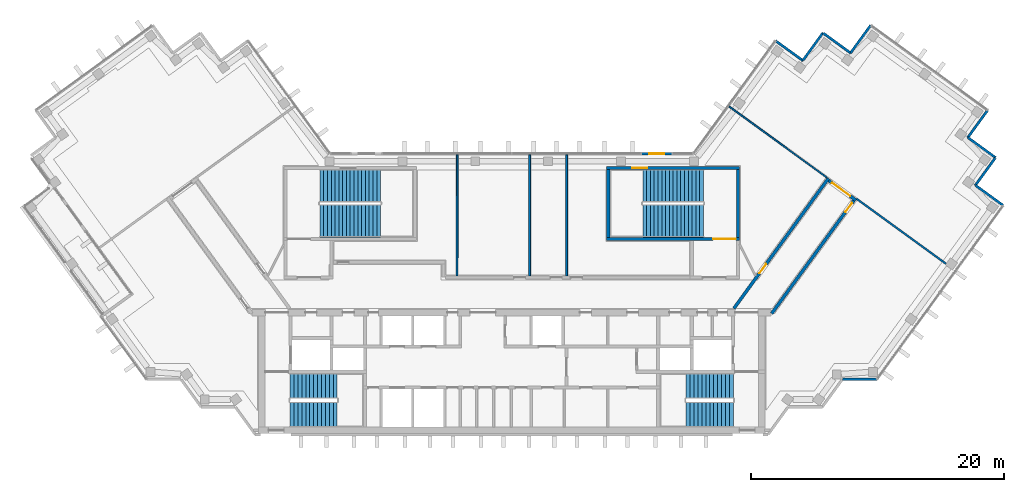
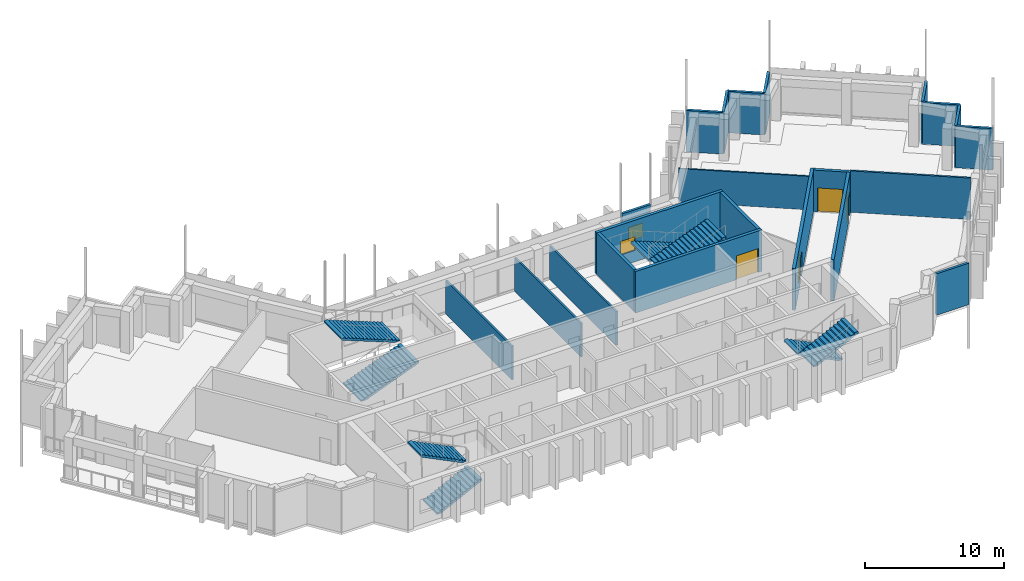
# One storey, part 12 of 14: 22 walls, 8 stair flights, 4 doors, 2 windows, 6 openings, 4 elements without a shape of their own.
"""IFC4 building model written with IfcOpenShell, lengths in metres."""

from ifc_helpers import new_model, si_unit, direction, frame, frame_2d, origin, place, context, subcontext, project, spatial, polyline, rectangle, outline, extrude, material, layer, layer_set, type_object, element, fill, aggregate, save


model = new_model("IFC4")

# Units and contexts
model_context = context("Model", 3, precision=1e-05, world=origin(), true_north=direction((0.0, 1.0)))
body_context = subcontext(model_context, "Body", "Model", "MODEL_VIEW")
ifc_project = project(units=[si_unit("LENGTHUNIT", "METRE"), si_unit("AREAUNIT", "SQUARE_METRE"), si_unit("VOLUMEUNIT", "CUBIC_METRE"), si_unit("PLANEANGLEUNIT", "RADIAN"), si_unit("MASSUNIT", "GRAM", prefix="KILO")], contexts=[model_context])

# Site, building, storey
site_placement = place(None, origin())
site = spatial("IfcSite", under=ifc_project, at=site_placement, CompositionType="ELEMENT")
building_placement = place(site_placement, origin())
building = spatial("IfcBuilding", under=site, at=building_placement, Name="Quipu Civic Tower", CompositionType="ELEMENT")
storey_placement = place(building_placement, frame((0.0, 0.0, 257.0)))
storey = spatial("IfcBuildingStorey", under=building, at=storey_placement, Name="L60", CompositionType="ELEMENT", Elevation=257.0)

# Walls
ifc_material_1 = material(Name="Double gypsum plasterboard with mineral wool")
ifc_layer_1 = layer(ifc_material_1, 0.14990234375)
ifc_layer_set_1 = layer_set([ifc_layer_1], Name="Double gypsum plasterboard with mineral wool")
wall_type_1 = type_object("IfcWallType", Name="Acoustic partition 150 plasterboard", PredefinedType="PARTITIONING", material=ifc_layer_set_1)
for number, where, z_axis, x_axis, name in (
    (1, (-4.29638671875, 11.0, 0.0), (0.0, 0.0, 1.0), (-0.002377476217, -0.999997173799, 0.0), "Partition P03"),
    (2, (1.419921875, 1.449951171875, 0.0), (0.0, 0.0, 1.0), (0.0, 1.0, 0.0), "Partition P04"),
):
    element("IfcWall", number, at=place(storey_placement, frame(where, z_axis=z_axis, x_axis=x_axis)), inside=storey, type_object=wall_type_1, Name=name, PredefinedType="PARTITIONING", context=body_context, shape_type="SweptSolid", body=[
        extrude(rectangle(XDim=9.550048828125, YDim=0.14990234375, at=frame_2d((4.77490234375, 0.0))), origin(), (0.0, 0.0, 1.0), 2.949951171875),
    ])
wall_1_placement = place(storey_placement, frame((27.240478515625, 7.532470703125, 0.0), z_axis=(0.0, 0.0, 1.0), x_axis=(0.809027940177, -0.587770186393, 0.0)))
element("IfcWall", 3, at=wall_1_placement, inside=storey, type_object=wall_type_1, Name="Partition P05", PredefinedType="PARTITIONING", context=body_context, shape_type="SweptSolid", body=[
    extrude(rectangle(XDim=8.71484375, YDim=0.14990234375, at=frame_2d((4.357421875, 0.0))), origin(), (0.0, 0.0, 1.0), 3.64990234375),
])
wall_2_placement = place(storey_placement, frame((4.339111328125, 11.0, 0.0), z_axis=(0.0, 0.0, 1.0), x_axis=(0.0, -1.0, 0.0)))
element("IfcWall", 4, at=wall_2_placement, inside=storey, type_object=wall_type_1, Name="Partition P07", PredefinedType="PARTITIONING", context=body_context, shape_type="SweptSolid", body=[
    extrude(rectangle(XDim=9.550048828125, YDim=0.14990234375, at=frame_2d((4.77490234375, 0.0))), origin(), (0.0, 0.0, 1.0), 2.949951171875),
])

# Wall, opening, door
ifc_material_2 = material(Name="Concrete C70/85", Category="concrete")
ifc_layer_2 = layer(ifc_material_2, 0.25)
ifc_layer_set_2 = layer_set([ifc_layer_2], Name="Concrete C70/85")
wall_type_2 = type_object("IfcWallType", Name="Core wall 250", PredefinedType="SHEAR", material=ifc_layer_set_2)
wall_3_placement = place(storey_placement, frame((7.5, 4.375, 0.0), z_axis=(0.0, 0.0, 1.0), x_axis=(1.0, 0.0, 0.0)))
wall_3 = element("IfcWall", 5, at=wall_3_placement, inside=storey, type_object=wall_type_2, Name="Core wall", PredefinedType="SHEAR", context=body_context, shape_type="SweptSolid", body=[
    extrude(rectangle(XDim=10.5, YDim=0.25, at=frame_2d((5.25, 0.0))), origin(), (0.0, 0.0, 1.0), 3.64990234375),
])
opening_1_placement = place(wall_3_placement, frame((8.39990234375, 0.0, 0.0)))
opening_1 = element("IfcOpeningElement", 6, at=opening_1_placement, cuts=wall_3, Name="Opening CD-30", PredefinedType="OPENING", context=body_context, shape_type="SweptSolid", body=[
    extrude(rectangle(XDim=1.800048828125, YDim=2.10009765625, at=frame_2d((0.89990234375, 1.050048828125))), frame((0.0, 0.135009765625, 0.0), z_axis=(0.0, -1.0, 0.0), x_axis=(1.0, 0.0, 0.0)), (0.0, 0.0, 1.0), 0.27001953125),
])
ifc_material_3 = material(Name="Fire rated steel door", Category="steel")
door_type_1 = type_object("IfcDoorType", Name="Fire door FD90 double 1800 x 2100", OperationType="NOTDEFINED", PredefinedType="DOOR", material=ifc_material_3)
door_1_placement = place(opening_1_placement, origin())
door_1 = element("IfcDoor", 7, at=door_1_placement, inside=storey, type_object=door_type_1, Name="Door", OperationType="DOUBLE_DOOR_SINGLE_SWING", OverallHeight=2.10009765625, OverallWidth=1.800048828125, PredefinedType="DOOR", context=body_context, shape_type="SweptSolid", body=[
    extrude(rectangle(XDim=1.800048828125, YDim=2.10009765625, at=frame_2d((0.89990234375, 1.050048828125))), frame((0.0, 0.02490234375, 0.0), z_axis=(0.0, -1.0, 0.0), x_axis=(1.0, 0.0, 0.0)), (0.0, 0.0, 1.0), 0.050048828125),
])
fill(opening_1, door_1)

# Walls
for number, where, z_axis, x_axis, name in (
    (8, (7.625, 4.5, 0.0), (0.0, 0.0, 1.0), (0.0, 1.0, 0.0), "Core wall"),
    (9, (17.875, 4.5, 0.0), (0.0, 0.0, 1.0), (0.0, 1.0, 0.0), "Core wall"),
):
    element("IfcWall", number, at=place(storey_placement, frame(where, z_axis=z_axis, x_axis=x_axis)), inside=storey, type_object=wall_type_2, Name=name, PredefinedType="SHEAR", context=body_context, shape_type="SweptSolid", body=[
        extrude(rectangle(XDim=5.35009765625, YDim=0.25, at=frame_2d((2.675048828125, 0.0))), origin(), (0.0, 0.0, 1.0), 3.64990234375),
    ])

# Wall, opening, window
wall_4_placement = place(storey_placement, frame((7.5, 9.97509765625, 0.0), z_axis=(0.0, 0.0, 1.0), x_axis=(1.0, 0.0, 0.0)))
wall_4 = element("IfcWall", 10, at=wall_4_placement, inside=storey, type_object=wall_type_2, Name="Core wall", PredefinedType="SHEAR", context=body_context, shape_type="SweptSolid", body=[
    extrude(rectangle(XDim=10.5, YDim=0.25, at=frame_2d((5.25, 0.0))), origin(), (0.0, 0.0, 1.0), 3.64990234375),
])
opening_2_placement = place(wall_4_placement, frame((2.0, 0.0, 1.0)))
opening_2 = element("IfcOpeningElement", 11, at=opening_2_placement, cuts=wall_4, Name="Opening SV-4", PredefinedType="OPENING", context=body_context, shape_type="SweptSolid", body=[
    extrude(rectangle(XDim=1.199951171875, YDim=1.199951171875, at=frame_2d((0.60009765625, 0.60009765625))), frame((0.0, 0.135009765625, 0.0), z_axis=(0.0, -1.0, 0.0), x_axis=(1.0, 0.0, 0.0)), (0.0, 0.0, 1.0), 0.27001953125),
])
ifc_material_4 = material(Name="Aluminium louvre", Category="aluminium")
window_type_1 = type_object("IfcWindowType", Name="Stair ventilation louvre 1200 x 1200", PartitioningType="SINGLE_PANEL", PredefinedType="WINDOW", material=ifc_material_4)
window_1_placement = place(opening_2_placement, origin())
window_1 = element("IfcWindow", 12, at=window_1_placement, inside=storey, type_object=window_type_1, Name="Stair ventilation opening", OverallHeight=1.199951171875, OverallWidth=1.199951171875, PartitioningType="SINGLE_PANEL", PredefinedType="WINDOW", context=body_context, shape_type="SweptSolid", body=[
    extrude(rectangle(XDim=1.199951171875, YDim=1.199951171875, at=frame_2d((0.60009765625, 0.60009765625))), frame((0.0, 0.030029296875, 0.0), z_axis=(0.0, -1.0, 0.0), x_axis=(1.0, 0.0, 0.0)), (0.0, 0.0, 1.0), 0.06005859375),
])
fill(opening_2, window_1)

# Wall, opening, door
ifc_material_5 = material(Name="Concrete C50/60", Category="concrete")
ifc_layer_3 = layer(ifc_material_5, 0.25)
ifc_layer_set_3 = layer_set([ifc_layer_3], Name="Concrete C50/60")
wall_type_3 = type_object("IfcWallType", Name="Corridor wall 250 concrete", PredefinedType="SOLIDWALL", material=ifc_layer_set_3)
wall_5_placement = place(storey_placement, frame((17.544921875, -1.124755859375, 0.0), z_axis=(0.0, 0.0, 1.0), x_axis=(0.587796810203, 0.809008596935, 0.0)))
wall_5 = element("IfcWall", 13, at=wall_5_placement, inside=storey, type_object=wall_type_3, Name="Corridor wall C01", PredefinedType="SOLIDWALL", context=body_context, shape_type="SweptSolid", body=[
    extrude(rectangle(XDim=12.703125, YDim=0.25, at=frame_2d((6.3515625, 0.0))), origin(), (0.0, 0.0, 1.0), 3.64990234375),
])
opening_3_placement = place(wall_5_placement, frame((3.44140625, 0.0, 0.0)))
opening_3 = element("IfcOpeningElement", 14, at=opening_3_placement, cuts=wall_5, Name="Opening D001", PredefinedType="OPENING", context=body_context, shape_type="SweptSolid", body=[
    extrude(rectangle(XDim=0.89990234375, YDim=2.10009765625, at=frame_2d((0.449951171875, 1.050048828125))), frame((0.0, 0.135009765625, 0.0), z_axis=(0.0, -1.0, 0.0), x_axis=(1.0, 0.0, 0.0)), (0.0, 0.0, 1.0), 0.27001953125),
])
ifc_material_6 = material(Name="Fire rated timber door set with metal frame", Category="wood")
door_type_2 = type_object("IfcDoorType", Name="Single door 900 x 2100 FD60", OperationType="NOTDEFINED", PredefinedType="DOOR", material=ifc_material_6)
door_2_placement = place(opening_3_placement, origin())
door_2 = element("IfcDoor", 15, at=door_2_placement, inside=storey, type_object=door_type_2, Name="Door D001", OperationType="SINGLE_SWING_LEFT", OverallHeight=2.10009765625, OverallWidth=0.89990234375, PredefinedType="DOOR", context=body_context, shape_type="SweptSolid", body=[
    extrude(rectangle(XDim=0.89990234375, YDim=2.10009765625, at=frame_2d((0.449951171875, 1.050048828125))), frame((0.0, 0.02490234375, 0.0), z_axis=(0.0, -1.0, 0.0), x_axis=(1.0, 0.0, 0.0)), (0.0, 0.0, 1.0), 0.050048828125),
])
fill(opening_3, door_2)

wall_6_placement = place(storey_placement, frame((25.039306640625, 8.9775390625, 0.0), z_axis=(0.0, 0.0, 1.0), x_axis=(0.809006914995, -0.587799125119, 0.0)))
wall_6 = element("IfcWall", 16, at=wall_6_placement, inside=storey, type_object=wall_type_3, Name="Corridor wall C02", PredefinedType="SOLIDWALL", context=body_context, shape_type="SweptSolid", body=[
    extrude(rectangle(XDim=2.64990234375, YDim=0.25, at=frame_2d((1.324951171875, 0.0))), origin(), (0.0, 0.0, 1.0), 3.64990234375),
])
opening_4_placement = place(wall_6_placement, frame((0.300537109375, 0.0, 0.0)))
opening_4 = element("IfcOpeningElement", 17, at=opening_4_placement, cuts=wall_6, Name="Opening D003", PredefinedType="OPENING", context=body_context, shape_type="SweptSolid", body=[
    extrude(rectangle(XDim=1.800048828125, YDim=2.10009765625, at=frame_2d((0.89990234375, 1.050048828125))), frame((0.0, 0.135009765625, 0.0), z_axis=(0.0, -1.0, 0.0), x_axis=(1.0, 0.0, 0.0)), (0.0, 0.0, 1.0), 0.27001953125),
])
ifc_material_7 = material(Name="Fire rated timber door set with metal frame", Category="wood")
door_type_3 = type_object("IfcDoorType", Name="Double door 1800 x 2100 FD60", OperationType="DOUBLE_DOOR_SINGLE_SWING", PredefinedType="DOOR", material=ifc_material_7)
door_3_placement = place(opening_4_placement, origin())
door_3 = element("IfcDoor", 18, at=door_3_placement, inside=storey, type_object=door_type_3, Name="Door D003", OperationType="DOUBLE_DOOR_SINGLE_SWING", OverallHeight=2.10009765625, OverallWidth=1.800048828125, PredefinedType="DOOR", context=body_context, shape_type="SweptSolid", body=[
    extrude(rectangle(XDim=1.800048828125, YDim=2.10009765625, at=frame_2d((0.89990234375, 1.050048828125))), frame((0.0, 0.02490234375, 0.0), z_axis=(0.0, -1.0, 0.0), x_axis=(1.0, 0.0, 0.0)), (0.0, 0.0, 1.0), 0.050048828125),
])
fill(opening_4, door_3)

wall_7_placement = place(storey_placement, frame((27.008544921875, 7.392333984375, 0.0), z_axis=(0.0, 0.0, 1.0), x_axis=(-0.587776457057, -0.809023384414, 0.0)))
wall_7 = element("IfcWall", 19, at=wall_7_placement, inside=storey, type_object=wall_type_3, Name="Corridor wall C03", PredefinedType="SOLIDWALL", context=body_context, shape_type="SweptSolid", body=[
    extrude(rectangle(XDim=11.0205078125, YDim=0.25, at=frame_2d((5.51025390625, 0.0))), origin(), (0.0, 0.0, 1.0), 3.64990234375),
])
opening_5_placement = place(wall_7_placement, frame((0.224609375, 0.0, 0.0)))
opening_5 = element("IfcOpeningElement", 20, at=opening_5_placement, cuts=wall_7, Name="Opening D002", PredefinedType="OPENING", context=body_context, shape_type="SweptSolid", body=[
    extrude(rectangle(XDim=0.89990234375, YDim=2.10009765625, at=frame_2d((0.449951171875, 1.050048828125))), frame((0.0, 0.135009765625, 0.0), z_axis=(0.0, -1.0, 0.0), x_axis=(1.0, 0.0, 0.0)), (0.0, 0.0, 1.0), 0.27001953125),
])
door_4_placement = place(opening_5_placement, origin())
door_4 = element("IfcDoor", 21, at=door_4_placement, inside=storey, type_object=door_type_2, Name="Door D002", OperationType="SINGLE_SWING_LEFT", OverallHeight=2.10009765625, OverallWidth=0.89990234375, PredefinedType="DOOR", context=body_context, shape_type="SweptSolid", body=[
    extrude(rectangle(XDim=0.89990234375, YDim=2.10009765625, at=frame_2d((0.449951171875, 1.050048828125))), frame((0.0, 0.02490234375, 0.0), z_axis=(0.0, -1.0, 0.0), x_axis=(1.0, 0.0, 0.0)), (0.0, 0.0, 1.0), 0.050048828125),
])
fill(opening_5, door_4)

# Walls
ifc_material_8 = material(Name="Gypsum plasterboard on light gauge framing")
ifc_layer_4 = layer(ifc_material_8, 0.1201171875)
ifc_layer_set_4 = layer_set([ifc_layer_4], Name="Gypsum plasterboard on light gauge framing")
wall_type_4 = type_object("IfcWallType", Name="Partition 120 plasterboard", PredefinedType="PARTITIONING", material=ifc_layer_set_4)
wall_8_placement = place(storey_placement, frame((24.89794921875, 9.20947265625, 0.0), z_axis=(0.0, 0.0, 1.0), x_axis=(-0.809013490065, 0.587790075531, 0.0)))
element("IfcWall", 22, at=wall_8_placement, inside=storey, type_object=wall_type_4, Name="Partition P01", PredefinedType="PARTITIONING", context=body_context, shape_type="SweptSolid", body=[
    extrude(rectangle(XDim=9.54931640625, YDim=0.1201171875, at=frame_2d((4.774658203125, 0.0))), origin(), (0.0, 0.0, 1.0), 2.949951171875),
])
ifc_material_9 = material(Name="Precast concrete C40/50", Category="concrete")
wall_type_5 = type_object("IfcWallType", Name="Precast cladding wall", PredefinedType="SOLIDWALL", material=ifc_material_9)
for number, where, z_axis, x_axis, name in (
    (23, (26.1298828125, -6.71923828125, 0.0), (0.0, 0.0, 1.0), (1.0, 0.0, 0.0), "Precast cladding wall L60 P09"),
    (24, (38.813720703125, 7.010498046875, 0.0), (0.0, 0.0, 1.0), (-0.809033161865, 0.587762999008, 0.0), "Precast cladding wall L60 P11"),
    (25, (36.60205078125, 8.580322265625, 0.0), (0.0, 0.0, 1.0), (0.587822180636, 0.808990163075, 0.0), "Precast cladding wall L60 P12"),
    (26, (38.21630859375, 10.78173828125, 0.0), (0.0, 0.0, 1.0), (-0.809033161865, 0.587762999008, 0.0), "Precast cladding wall L60 P13"),
    (27, (36.0048828125, 12.3515625, 0.0), (0.0, 0.0, 1.0), (0.587762999008, 0.809033161865, 0.0), "Precast cladding wall L60 P14"),
):
    element("IfcWall", number, at=place(storey_placement, frame(where, z_axis=z_axis, x_axis=x_axis)), inside=storey, type_object=wall_type_5, Name=name, PredefinedType="SOLIDWALL", context=body_context, shape_type="SweptSolid", body=[
        extrude(rectangle(XDim=2.699951171875, YDim=0.199951171875, at=frame_2d((1.35009765625, 0.0))), origin(), (0.0, 0.0, 1.0), 3.64990234375),
    ])
for number, where, z_axis, x_axis, name in (
    (28, (28.3544921875, 21.247314453125, 0.0), (0.0, 0.0, 1.0), (-0.587720002413, -0.809064397168, 0.0), "Precast cladding wall L60 P16"),
    (29, (26.78466796875, 19.03564453125, 0.0), (0.0, 0.0, 1.0), (-0.809064397168, 0.587720002413, 0.0), "Precast cladding wall L60 P17"),
):
    element("IfcWall", number, at=place(storey_placement, frame(where, z_axis=z_axis, x_axis=x_axis)), inside=storey, type_object=wall_type_5, Name=name, PredefinedType="SOLIDWALL", context=body_context, shape_type="SweptSolid", body=[
        extrude(rectangle(XDim=2.7001953125, YDim=0.199951171875, at=frame_2d((1.35009765625, 0.0))), origin(), (0.0, 0.0, 1.0), 3.64990234375),
    ])
for number, where, z_axis, x_axis, name in (
    (30, (24.583251953125, 20.64990234375, 0.0), (0.0, 0.0, 1.0), (-0.587762999008, -0.809033161865, 0.0), "Precast cladding wall L60 P18"),
    (31, (23.01318359375, 18.438232421875, 0.0), (0.0, 0.0, 1.0), (-0.808990163075, 0.587822180636, 0.0), "Precast cladding wall L60 P19"),
):
    element("IfcWall", number, at=place(storey_placement, frame(where, z_axis=z_axis, x_axis=x_axis)), inside=storey, type_object=wall_type_5, Name=name, PredefinedType="SOLIDWALL", context=body_context, shape_type="SweptSolid", body=[
        extrude(rectangle(XDim=2.699951171875, YDim=0.199951171875, at=frame_2d((1.35009765625, 0.0))), origin(), (0.0, 0.0, 1.0), 3.64990234375),
    ])

# Wall, opening, window
wall_9_placement = place(storey_placement, frame((12.655029296875, 11.10009765625, 0.0), z_axis=(0.0, 0.0, 1.0), x_axis=(-1.0, 0.0, 0.0)))
wall_9 = element("IfcWall", 32, at=wall_9_placement, inside=storey, type_object=wall_type_5, Name="Vent surround SF-L59-2", PredefinedType="SOLIDWALL", context=body_context, shape_type="SweptSolid", body=[
    extrude(rectangle(XDim=2.3916015625, YDim=0.199951171875, at=frame_2d((1.19580078125, 0.0))), origin(), (0.0, 0.0, 1.0), 3.64990234375),
])
opening_6_placement = place(wall_9_placement, frame((0.595703125, 0.0, 1.0)))
opening_6 = element("IfcOpeningElement", 33, at=opening_6_placement, cuts=wall_9, Name="Opening SF-L59-2", PredefinedType="OPENING", context=body_context, shape_type="SweptSolid", body=[
    extrude(rectangle(XDim=1.199951171875, YDim=1.199951171875, at=frame_2d((0.60009765625, 0.60009765625))), frame((0.0, 0.10986328125, 0.0), z_axis=(0.0, -1.0, 0.0), x_axis=(1.0, 0.0, 0.0)), (0.0, 0.0, 1.0), 0.219970703125),
])
ifc_material_10 = material(Name="Anodised aluminium louvre", Category="aluminium")
window_type_2 = type_object("IfcWindowType", Name="Stair vent louvre window P3", PartitioningType="SINGLE_PANEL", PredefinedType="WINDOW", material=ifc_material_10)
window_2_placement = place(opening_6_placement, origin())
window_2 = element("IfcWindow", 34, at=window_2_placement, inside=storey, type_object=window_type_2, Name="Stair vent louvre SF-L59-2", OverallHeight=1.199951171875, OverallWidth=1.199951171875, PartitioningType="SINGLE_PANEL", PredefinedType="WINDOW", context=body_context, shape_type="SweptSolid", body=[
    extrude(rectangle(XDim=1.199951171875, YDim=1.199951171875, at=frame_2d((0.60009765625, 0.60009765625))), frame((0.0, 0.030029296875, 0.0), z_axis=(0.0, -1.0, 0.0), x_axis=(1.0, 0.0, 0.0)), (0.0, 0.0, 1.0), 0.06005859375),
])
fill(opening_6, window_2)

# Stair, stair flights
ifc_material_11 = material(Name="Concrete C40/50", Category="concrete")
stair_type_1 = type_object("IfcStairType", Name="Half turn stair 2000", PredefinedType="HALF_TURN_STAIR", material=ifc_material_11)
stair_1_placement = place(storey_placement, origin())
stair_1 = element("IfcStair", 35, at=stair_1_placement, inside=storey, type_object=stair_type_1, Name="Exit stair 1", PredefinedType="HALF_TURN_STAIR")
ifc_material_12 = material(Name="Concrete C40/50", Category="concrete")
stair_flight_type_1 = type_object("IfcStairFlightType", Name="Stair flight 2000", PredefinedType="STRAIGHT", material=ifc_material_12)
stair_flight_1_placement = place(storey_placement, frame((-17.5, -9.5, 0.0), z_axis=(0.0, 0.0, 1.0), x_axis=(1.0, 0.0, 0.0)))
stair_flight_1 = element("IfcStairFlight", 36, at=stair_flight_1_placement, type_object=stair_flight_type_1, Name="ST-1 flight 1", NumberOfRisers=13, NumberOfTreads=12, PredefinedType="STRAIGHT", RiserHeight=0.153846154, TreadLength=0.31, context=body_context, shape_type="SweptSolid", body=[
    extrude(outline(polyline([(0.0, 0.0), (0.0, 0.15380859375), (0.31005859375, 0.15380859375), (0.31005859375, 0.3076171875), (0.6201171875, 0.3076171875), (0.6201171875, 0.46142578125), (0.929931640625, 0.46142578125), (0.929931640625, 0.615478515625), (1.239990234375, 0.615478515625), (1.239990234375, 0.769287109375), (1.550048828125, 0.769287109375), (1.550048828125, 0.923095703125), (1.860107421875, 0.923095703125), (1.860107421875, 1.076904296875), (2.169921875, 1.076904296875), (2.169921875, 1.230712890625), (2.47998046875, 1.230712890625), (2.47998046875, 1.384521484375), (2.7900390625, 1.384521484375), (2.7900390625, 1.53857421875), (3.10009765625, 1.53857421875), (3.10009765625, 1.6923828125), (3.409912109375, 1.6923828125), (3.409912109375, 1.84619140625), (3.719970703125, 1.84619140625), (3.719970703125, 2.0), (3.719970703125, 1.6787109375), (0.337158203125, 0.0), (0.0, 0.0)])), frame((0.0, 1.0, 0.0), z_axis=(0.0, -1.0, 0.0), x_axis=(1.0, 0.0, 0.0)), (0.0, 0.0, 1.0), 2.0),
])
stair_flight_2_placement = place(storey_placement, frame((-13.780029296875, -7.25, 2.0), z_axis=(0.0, 0.0, 1.0), x_axis=(-1.0, 0.0, 0.0)))
stair_flight_2 = element("IfcStairFlight", 37, at=stair_flight_2_placement, type_object=stair_flight_type_1, Name="ST-1 flight 2", NumberOfRisers=13, NumberOfTreads=12, PredefinedType="STRAIGHT", RiserHeight=0.153846154, TreadLength=0.31, context=body_context, shape_type="SweptSolid", body=[
    extrude(outline(polyline([(0.0, 0.0), (0.0, 0.15380859375), (0.31005859375, 0.15380859375), (0.31005859375, 0.3076171875), (0.6201171875, 0.3076171875), (0.6201171875, 0.46142578125), (0.929931640625, 0.46142578125), (0.929931640625, 0.615478515625), (1.239990234375, 0.615478515625), (1.239990234375, 0.769287109375), (1.550048828125, 0.769287109375), (1.550048828125, 0.923095703125), (1.860107421875, 0.923095703125), (1.860107421875, 1.076904296875), (2.169921875, 1.076904296875), (2.169921875, 1.230712890625), (2.47998046875, 1.230712890625), (2.47998046875, 1.384521484375), (2.7900390625, 1.384521484375), (2.7900390625, 1.53857421875), (3.10009765625, 1.53857421875), (3.10009765625, 1.6923828125), (3.409912109375, 1.6923828125), (3.409912109375, 1.84619140625), (3.719970703125, 1.84619140625), (3.719970703125, 2.0), (3.719970703125, 1.6787109375), (0.337158203125, 0.0), (0.0, 0.0)])), frame((0.0, 1.0, 0.0), z_axis=(0.0, -1.0, 0.0), x_axis=(1.0, 0.0, 0.0)), (0.0, 0.0, 1.0), 2.0),
])
aggregate(stair_1, [stair_flight_1, stair_flight_2])

stair_2_placement = place(storey_placement, origin())
stair_2 = element("IfcStair", 38, at=stair_2_placement, inside=storey, type_object=stair_type_1, Name="Exit stair 2", PredefinedType="HALF_TURN_STAIR")
stair_flight_3_placement = place(storey_placement, frame((17.5, -7.25, 0.0), z_axis=(0.0, 0.0, 1.0), x_axis=(-1.0, 0.0, 0.0)))
stair_flight_3 = element("IfcStairFlight", 39, at=stair_flight_3_placement, type_object=stair_flight_type_1, Name="ST-2 flight 1", NumberOfRisers=13, NumberOfTreads=12, PredefinedType="STRAIGHT", RiserHeight=0.153846154, TreadLength=0.31, context=body_context, shape_type="SweptSolid", body=[
    extrude(outline(polyline([(0.0, 0.0), (0.0, 0.15380859375), (0.31005859375, 0.15380859375), (0.31005859375, 0.3076171875), (0.6201171875, 0.3076171875), (0.6201171875, 0.46142578125), (0.929931640625, 0.46142578125), (0.929931640625, 0.615478515625), (1.239990234375, 0.615478515625), (1.239990234375, 0.769287109375), (1.550048828125, 0.769287109375), (1.550048828125, 0.923095703125), (1.860107421875, 0.923095703125), (1.860107421875, 1.076904296875), (2.169921875, 1.076904296875), (2.169921875, 1.230712890625), (2.47998046875, 1.230712890625), (2.47998046875, 1.384521484375), (2.7900390625, 1.384521484375), (2.7900390625, 1.53857421875), (3.10009765625, 1.53857421875), (3.10009765625, 1.6923828125), (3.409912109375, 1.6923828125), (3.409912109375, 1.84619140625), (3.719970703125, 1.84619140625), (3.719970703125, 2.0), (3.719970703125, 1.6787109375), (0.337158203125, 0.0), (0.0, 0.0)])), frame((0.0, 1.0, 0.0), z_axis=(0.0, -1.0, 0.0), x_axis=(1.0, 0.0, 0.0)), (0.0, 0.0, 1.0), 2.0),
])
stair_flight_4_placement = place(storey_placement, frame((13.780029296875, -9.5, 2.0), z_axis=(0.0, 0.0, 1.0), x_axis=(1.0, 0.0, 0.0)))
stair_flight_4 = element("IfcStairFlight", 40, at=stair_flight_4_placement, type_object=stair_flight_type_1, Name="ST-2 flight 2", NumberOfRisers=13, NumberOfTreads=12, PredefinedType="STRAIGHT", RiserHeight=0.153846154, TreadLength=0.31, context=body_context, shape_type="SweptSolid", body=[
    extrude(outline(polyline([(0.0, 0.0), (0.0, 0.15380859375), (0.31005859375, 0.15380859375), (0.31005859375, 0.3076171875), (0.6201171875, 0.3076171875), (0.6201171875, 0.46142578125), (0.929931640625, 0.46142578125), (0.929931640625, 0.615478515625), (1.239990234375, 0.615478515625), (1.239990234375, 0.769287109375), (1.550048828125, 0.769287109375), (1.550048828125, 0.923095703125), (1.860107421875, 0.923095703125), (1.860107421875, 1.076904296875), (2.169921875, 1.076904296875), (2.169921875, 1.230712890625), (2.47998046875, 1.230712890625), (2.47998046875, 1.384521484375), (2.7900390625, 1.384521484375), (2.7900390625, 1.53857421875), (3.10009765625, 1.53857421875), (3.10009765625, 1.6923828125), (3.409912109375, 1.6923828125), (3.409912109375, 1.84619140625), (3.719970703125, 1.84619140625), (3.719970703125, 2.0), (3.719970703125, 1.6787109375), (0.337158203125, 0.0), (0.0, 0.0)])), frame((0.0, 1.0, 0.0), z_axis=(0.0, -1.0, 0.0), x_axis=(1.0, 0.0, 0.0)), (0.0, 0.0, 1.0), 2.0),
])
aggregate(stair_2, [stair_flight_3, stair_flight_4])

ifc_material_13 = material(Name="Concrete C40/50", Category="concrete")
stair_type_2 = type_object("IfcStairType", Name="Half turn stair 2600", PredefinedType="HALF_TURN_STAIR", material=ifc_material_13)
stair_3_placement = place(storey_placement, origin())
stair_3 = element("IfcStair", 41, at=stair_3_placement, inside=storey, type_object=stair_type_2, Name="Exit stair 3", PredefinedType="HALF_TURN_STAIR")
ifc_material_14 = material(Name="Concrete C40/50", Category="concrete")
stair_flight_type_2 = type_object("IfcStairFlightType", Name="Stair flight 2600", PredefinedType="STRAIGHT", material=ifc_material_14)
stair_flight_5_placement = place(storey_placement, frame((-15.14990234375, 5.800048828125, 0.0), z_axis=(0.0, 0.0, 1.0), x_axis=(1.0, 0.0, 0.0)))
stair_flight_5 = element("IfcStairFlight", 42, at=stair_flight_5_placement, type_object=stair_flight_type_2, Name="ST-3 flight 1", NumberOfRisers=17, NumberOfTreads=16, PredefinedType="STRAIGHT", RiserHeight=0.117647059, TreadLength=0.3, context=body_context, shape_type="SweptSolid", body=[
    extrude(outline(polyline([(0.0, 0.0), (0.0, 0.11767578125), (0.300048828125, 0.11767578125), (0.300048828125, 0.2353515625), (0.60009765625, 0.2353515625), (0.60009765625, 0.35302734375), (0.89990234375, 0.35302734375), (0.89990234375, 0.470703125), (1.199951171875, 0.470703125), (1.199951171875, 0.588134765625), (1.5, 0.588134765625), (1.5, 0.705810546875), (1.800048828125, 0.705810546875), (1.800048828125, 0.823486328125), (2.10009765625, 0.823486328125), (2.10009765625, 0.941162109375), (2.39990234375, 0.941162109375), (2.39990234375, 1.058837890625), (2.699951171875, 1.058837890625), (2.699951171875, 1.176513671875), (3.0, 1.176513671875), (3.0, 1.294189453125), (3.300048828125, 1.294189453125), (3.300048828125, 1.411865234375), (3.60009765625, 1.411865234375), (3.60009765625, 1.529296875), (3.89990234375, 1.529296875), (3.89990234375, 1.64697265625), (4.199951171875, 1.64697265625), (4.199951171875, 1.7646484375), (4.5, 1.7646484375), (4.5, 1.88232421875), (4.800048828125, 1.88232421875), (4.800048828125, 2.0), (4.800048828125, 1.721435546875), (0.41064453125, 0.0), (0.0, 0.0)])), frame((0.0, 1.300048828125, 0.0), z_axis=(0.0, -1.0, 0.0), x_axis=(1.0, 0.0, 0.0)), (0.0, 0.0, 1.0), 2.60009765625),
])
stair_flight_6_placement = place(storey_placement, frame((-10.35009765625, 8.550048828125, 2.0), z_axis=(0.0, 0.0, 1.0), x_axis=(-1.0, 0.0, 0.0)))
stair_flight_6 = element("IfcStairFlight", 43, at=stair_flight_6_placement, type_object=stair_flight_type_2, Name="ST-3 flight 2", NumberOfRisers=17, NumberOfTreads=16, PredefinedType="STRAIGHT", RiserHeight=0.117647059, TreadLength=0.3, context=body_context, shape_type="SweptSolid", body=[
    extrude(outline(polyline([(0.0, 0.0), (0.0, 0.11767578125), (0.300048828125, 0.11767578125), (0.300048828125, 0.2353515625), (0.60009765625, 0.2353515625), (0.60009765625, 0.35302734375), (0.89990234375, 0.35302734375), (0.89990234375, 0.470703125), (1.199951171875, 0.470703125), (1.199951171875, 0.588134765625), (1.5, 0.588134765625), (1.5, 0.705810546875), (1.800048828125, 0.705810546875), (1.800048828125, 0.823486328125), (2.10009765625, 0.823486328125), (2.10009765625, 0.941162109375), (2.39990234375, 0.941162109375), (2.39990234375, 1.058837890625), (2.699951171875, 1.058837890625), (2.699951171875, 1.176513671875), (3.0, 1.176513671875), (3.0, 1.294189453125), (3.300048828125, 1.294189453125), (3.300048828125, 1.411865234375), (3.60009765625, 1.411865234375), (3.60009765625, 1.529296875), (3.89990234375, 1.529296875), (3.89990234375, 1.64697265625), (4.199951171875, 1.64697265625), (4.199951171875, 1.7646484375), (4.5, 1.7646484375), (4.5, 1.88232421875), (4.800048828125, 1.88232421875), (4.800048828125, 2.0), (4.800048828125, 1.721435546875), (0.41064453125, 0.0), (0.0, 0.0)])), frame((0.0, 1.300048828125, 0.0), z_axis=(0.0, -1.0, 0.0), x_axis=(1.0, 0.0, 0.0)), (0.0, 0.0, 1.0), 2.60009765625),
])
aggregate(stair_3, [stair_flight_5, stair_flight_6])

stair_4_placement = place(storey_placement, origin())
stair_4 = element("IfcStair", 44, at=stair_4_placement, inside=storey, type_object=stair_type_2, Name="Exit stair 4", PredefinedType="HALF_TURN_STAIR")
stair_flight_7_placement = place(storey_placement, frame((15.14990234375, 8.550048828125, 0.0), z_axis=(0.0, 0.0, 1.0), x_axis=(-1.0, 0.0, 0.0)))
stair_flight_7 = element("IfcStairFlight", 45, at=stair_flight_7_placement, type_object=stair_flight_type_2, Name="ST-4 flight 1", NumberOfRisers=17, NumberOfTreads=16, PredefinedType="STRAIGHT", RiserHeight=0.117647059, TreadLength=0.3, context=body_context, shape_type="SweptSolid", body=[
    extrude(outline(polyline([(0.0, 0.0), (0.0, 0.11767578125), (0.300048828125, 0.11767578125), (0.300048828125, 0.2353515625), (0.60009765625, 0.2353515625), (0.60009765625, 0.35302734375), (0.89990234375, 0.35302734375), (0.89990234375, 0.470703125), (1.199951171875, 0.470703125), (1.199951171875, 0.588134765625), (1.5, 0.588134765625), (1.5, 0.705810546875), (1.800048828125, 0.705810546875), (1.800048828125, 0.823486328125), (2.10009765625, 0.823486328125), (2.10009765625, 0.941162109375), (2.39990234375, 0.941162109375), (2.39990234375, 1.058837890625), (2.699951171875, 1.058837890625), (2.699951171875, 1.176513671875), (3.0, 1.176513671875), (3.0, 1.294189453125), (3.300048828125, 1.294189453125), (3.300048828125, 1.411865234375), (3.60009765625, 1.411865234375), (3.60009765625, 1.529296875), (3.89990234375, 1.529296875), (3.89990234375, 1.64697265625), (4.199951171875, 1.64697265625), (4.199951171875, 1.7646484375), (4.5, 1.7646484375), (4.5, 1.88232421875), (4.800048828125, 1.88232421875), (4.800048828125, 2.0), (4.800048828125, 1.721435546875), (0.41064453125, 0.0), (0.0, 0.0)])), frame((0.0, 1.300048828125, 0.0), z_axis=(0.0, -1.0, 0.0), x_axis=(1.0, 0.0, 0.0)), (0.0, 0.0, 1.0), 2.60009765625),
])
stair_flight_8_placement = place(storey_placement, frame((10.35009765625, 5.800048828125, 2.0), z_axis=(0.0, 0.0, 1.0), x_axis=(1.0, 0.0, 0.0)))
stair_flight_8 = element("IfcStairFlight", 46, at=stair_flight_8_placement, type_object=stair_flight_type_2, Name="ST-4 flight 2", NumberOfRisers=17, NumberOfTreads=16, PredefinedType="STRAIGHT", RiserHeight=0.117647059, TreadLength=0.3, context=body_context, shape_type="SweptSolid", body=[
    extrude(outline(polyline([(0.0, 0.0), (0.0, 0.11767578125), (0.300048828125, 0.11767578125), (0.300048828125, 0.2353515625), (0.60009765625, 0.2353515625), (0.60009765625, 0.35302734375), (0.89990234375, 0.35302734375), (0.89990234375, 0.470703125), (1.199951171875, 0.470703125), (1.199951171875, 0.588134765625), (1.5, 0.588134765625), (1.5, 0.705810546875), (1.800048828125, 0.705810546875), (1.800048828125, 0.823486328125), (2.10009765625, 0.823486328125), (2.10009765625, 0.941162109375), (2.39990234375, 0.941162109375), (2.39990234375, 1.058837890625), (2.699951171875, 1.058837890625), (2.699951171875, 1.176513671875), (3.0, 1.176513671875), (3.0, 1.294189453125), (3.300048828125, 1.294189453125), (3.300048828125, 1.411865234375), (3.60009765625, 1.411865234375), (3.60009765625, 1.529296875), (3.89990234375, 1.529296875), (3.89990234375, 1.64697265625), (4.199951171875, 1.64697265625), (4.199951171875, 1.7646484375), (4.5, 1.7646484375), (4.5, 1.88232421875), (4.800048828125, 1.88232421875), (4.800048828125, 2.0), (4.800048828125, 1.721435546875), (0.41064453125, 0.0), (0.0, 0.0)])), frame((0.0, 1.300048828125, 0.0), z_axis=(0.0, -1.0, 0.0), x_axis=(1.0, 0.0, 0.0)), (0.0, 0.0, 1.0), 2.60009765625),
])
aggregate(stair_4, [stair_flight_7, stair_flight_8])

save(model, "model.ifc")
